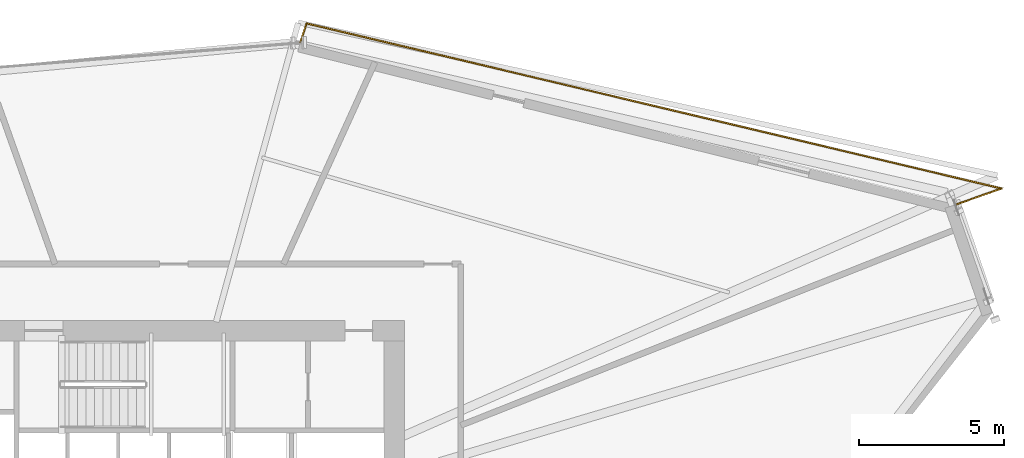
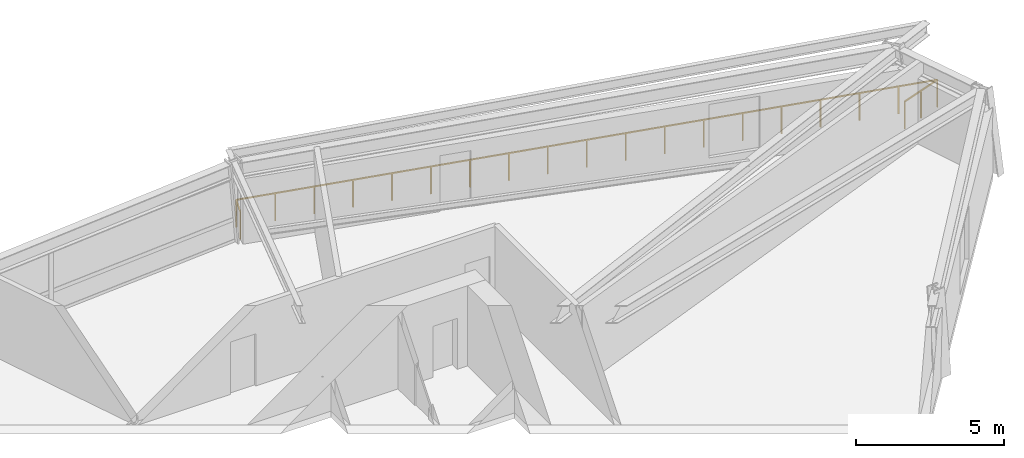
# One storey, part 18 of 18: 1 railing.
"""IFC4 building model written with IfcOpenShell, lengths in metres."""

from ifc_helpers import new_model, si_unit, direction, frame, origin, origin_2d, place, context, subcontext, project, spatial, rectangle, extrude, material, type_object, element, save


model = new_model("IFC4")

# Units and contexts
model_context = context("Model", 3, precision=1e-05, world=origin(), true_north=direction((0.0, 1.0)))
body_context = subcontext(model_context, "Body", "Model", "MODEL_VIEW")
ifc_project = project(units=[si_unit("LENGTHUNIT", "METRE"), si_unit("AREAUNIT", "SQUARE_METRE"), si_unit("VOLUMEUNIT", "CUBIC_METRE"), si_unit("PLANEANGLEUNIT", "RADIAN"), si_unit("MASSUNIT", "GRAM", prefix="KILO")], contexts=[model_context])

# Site, building, storey
site_placement = place(None, origin())
site = spatial("IfcSite", under=ifc_project, at=site_placement, CompositionType="ELEMENT")
building_placement = place(site_placement, origin())
building = spatial("IfcBuilding", under=site, at=building_placement, Name="Olszyna Solenne Hotel", CompositionType="ELEMENT")
storey_placement = place(building_placement, frame((0.0, 0.0, 112.800048828125)))
storey = spatial("IfcBuildingStorey", under=building, at=storey_placement, Name="L29", CompositionType="ELEMENT", Elevation=112.800048828125)

# Railing
ifc_material = material(Name="Anodised bronze aluminium", Category="aluminium")
railing_type = type_object("IfcRailingType", Name="GR-110", PredefinedType="BALUSTRADE", material=ifc_material)
railing_placement = place(storey_placement, frame((65.6337890625, 38.39990234375, 0.0)))
element("IfcRailing", 1, at=railing_placement, inside=storey, type_object=railing_type, Name="Loggia balcony balustrade guard GR-L29-LG1", PredefinedType="BALUSTRADE", context=body_context, shape_type="SweptSolid", body=[
    extrude(rectangle(XDim=0.048095703125, YDim=0.048095703125, at=origin_2d()), frame((0.0, 0.0, 1.1259765625), z_axis=(0.943723297436, 0.330736054698, 0.0), x_axis=(-0.330736054698, 0.943723297436, 0.0)), (0.0, 0.0, 1.0), 1.69189453125),
    extrude(rectangle(XDim=0.048095703125, YDim=0.048095703125, at=origin_2d()), frame((1.5966796875, 0.5595703125, 1.1259765625), z_axis=(-0.97291385811, 0.231167957765, 0.0), x_axis=(-0.231167957765, -0.97291385811, 0.0)), (0.0, 0.0, 1.0), 24.67626953125),
    extrude(rectangle(XDim=0.048095703125, YDim=0.048095703125, at=origin_2d()), frame((-22.4111328125, 6.263916015625, 1.1259765625), z_axis=(-0.324579507426, -0.945858416127, 0.0), x_axis=(0.945858416127, -0.324579507426, 0.0)), (0.0, 0.0, 1.0), 0.709228515625),
    extrude(rectangle(XDim=0.0419921875, YDim=0.0419921875, at=origin_2d()), origin(), (0.0, 0.0, 1.0), 1.101806640625),
    extrude(rectangle(XDim=0.0419921875, YDim=0.0419921875, at=origin_2d()), frame((0.79833984375, 0.27978515625, 0.0)), (0.0, 0.0, 1.0), 1.101806640625),
    extrude(rectangle(XDim=0.0419921875, YDim=0.0419921875, at=origin_2d()), frame((1.5966796875, 0.5595703125, 0.0)), (0.0, 0.0, 1.0), 1.101806640625),
    extrude(rectangle(XDim=0.0419921875, YDim=0.0419921875, at=origin_2d()), frame((0.262939453125, 0.87646484375, 0.0)), (0.0, 0.0, 1.0), 1.101806640625),
    extrude(rectangle(XDim=0.0419921875, YDim=0.0419921875, at=origin_2d()), frame((-1.07080078125, 1.193359375, 0.0)), (0.0, 0.0, 1.0), 1.101806640625),
    extrude(rectangle(XDim=0.0419921875, YDim=0.0419921875, at=origin_2d()), frame((-2.404541015625, 1.51025390625, 0.0)), (0.0, 0.0, 1.0), 1.101806640625),
    extrude(rectangle(XDim=0.0419921875, YDim=0.0419921875, at=origin_2d()), frame((-3.73828125, 1.8271484375, 0.0)), (0.0, 0.0, 1.0), 1.101806640625),
    extrude(rectangle(XDim=0.0419921875, YDim=0.0419921875, at=origin_2d()), frame((-5.072265625, 2.14404296875, 0.0)), (0.0, 0.0, 1.0), 1.101806640625),
    extrude(rectangle(XDim=0.0419921875, YDim=0.0419921875, at=origin_2d()), frame((-6.406005859375, 2.4609375, 0.0)), (0.0, 0.0, 1.0), 1.101806640625),
    extrude(rectangle(XDim=0.0419921875, YDim=0.0419921875, at=origin_2d()), frame((-7.73974609375, 2.77783203125, 0.0)), (0.0, 0.0, 1.0), 1.101806640625),
    extrude(rectangle(XDim=0.0419921875, YDim=0.0419921875, at=origin_2d()), frame((-9.073486328125, 3.0947265625, 0.0)), (0.0, 0.0, 1.0), 1.101806640625),
    extrude(rectangle(XDim=0.0419921875, YDim=0.0419921875, at=origin_2d()), frame((-10.4072265625, 3.41162109375, 0.0)), (0.0, 0.0, 1.0), 1.101806640625),
    extrude(rectangle(XDim=0.0419921875, YDim=0.0419921875, at=origin_2d()), frame((-11.740966796875, 3.728759765625, 0.0)), (0.0, 0.0, 1.0), 1.101806640625),
    extrude(rectangle(XDim=0.0419921875, YDim=0.0419921875, at=origin_2d()), frame((-13.07470703125, 4.045654296875, 0.0)), (0.0, 0.0, 1.0), 1.101806640625),
    extrude(rectangle(XDim=0.0419921875, YDim=0.0419921875, at=origin_2d()), frame((-14.408447265625, 4.362548828125, 0.0)), (0.0, 0.0, 1.0), 1.101806640625),
    extrude(rectangle(XDim=0.0419921875, YDim=0.0419921875, at=origin_2d()), frame((-15.7421875, 4.679443359375, 0.0)), (0.0, 0.0, 1.0), 1.101806640625),
    extrude(rectangle(XDim=0.0419921875, YDim=0.0419921875, at=origin_2d()), frame((-17.076171875, 4.996337890625, 0.0)), (0.0, 0.0, 1.0), 1.101806640625),
    extrude(rectangle(XDim=0.0419921875, YDim=0.0419921875, at=origin_2d()), frame((-18.409912109375, 5.313232421875, 0.0)), (0.0, 0.0, 1.0), 1.101806640625),
    extrude(rectangle(XDim=0.0419921875, YDim=0.0419921875, at=origin_2d()), frame((-19.74365234375, 5.630126953125, 0.0)), (0.0, 0.0, 1.0), 1.101806640625),
    extrude(rectangle(XDim=0.0419921875, YDim=0.0419921875, at=origin_2d()), frame((-21.077392578125, 5.947021484375, 0.0)), (0.0, 0.0, 1.0), 1.101806640625),
    extrude(rectangle(XDim=0.0419921875, YDim=0.0419921875, at=origin_2d()), frame((-22.4111328125, 6.263916015625, 0.0)), (0.0, 0.0, 1.0), 1.101806640625),
    extrude(rectangle(XDim=0.0419921875, YDim=0.0419921875, at=origin_2d()), frame((-22.641357421875, 5.593017578125, 0.0)), (0.0, 0.0, 1.0), 1.101806640625),
])

save(model, "model.ifc")
